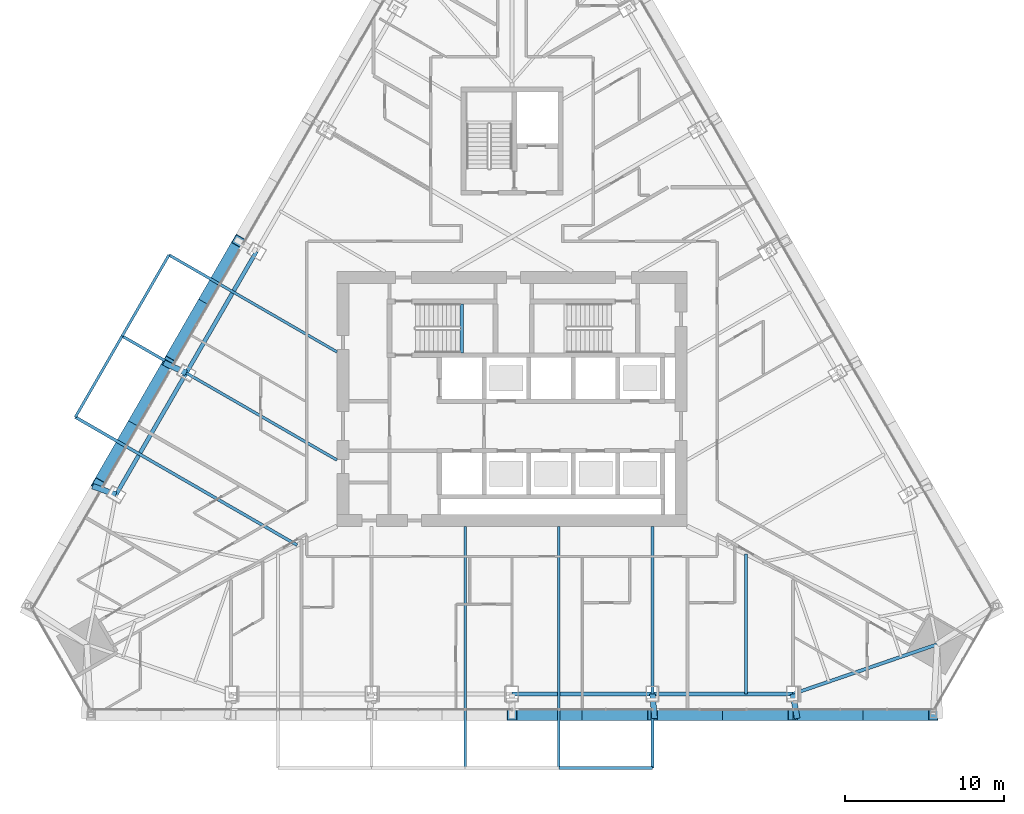
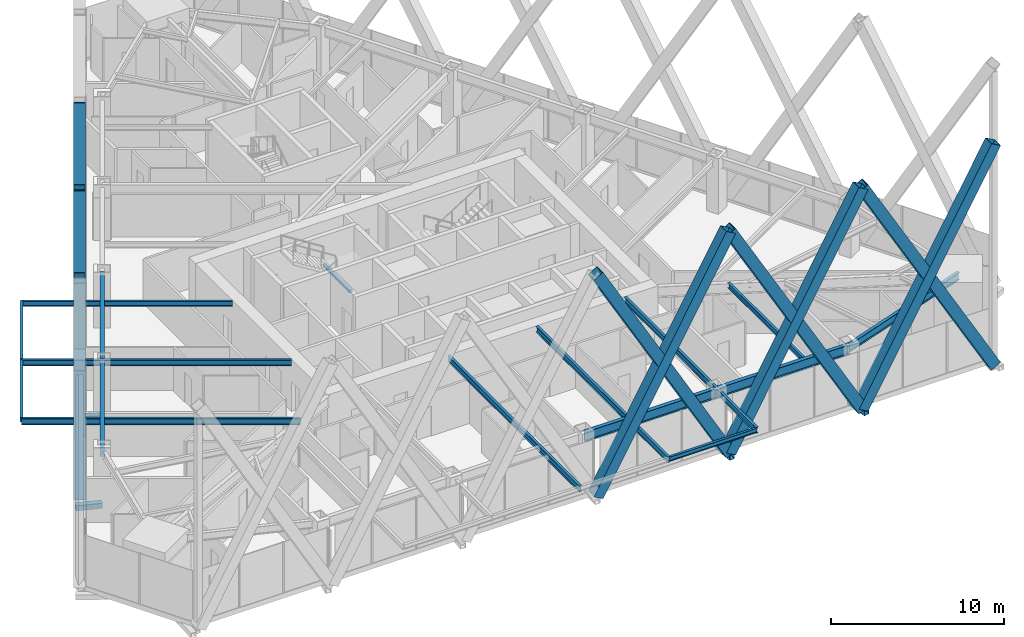
# One storey, part 4 of 19: 14 beams, 14 members.
"""IFC4 building model written with IfcOpenShell, lengths in metres."""

from ifc_helpers import new_model, si_unit, direction, frame, origin, origin_2d, place, context, subcontext, project, spatial, rectangle, hollow_rectangle, i_section, extrude, material, material_profile, profile_set, type_object, element, save


model = new_model("IFC4")

# Units and contexts
model_context = context("Model", 3, precision=1e-05, world=origin(), true_north=direction((0.0, 1.0)))
body_context = subcontext(model_context, "Body", "Model", "MODEL_VIEW")
ifc_project = project(units=[si_unit("LENGTHUNIT", "METRE"), si_unit("AREAUNIT", "SQUARE_METRE"), si_unit("VOLUMEUNIT", "CUBIC_METRE"), si_unit("PLANEANGLEUNIT", "RADIAN"), si_unit("MASSUNIT", "GRAM", prefix="KILO")], contexts=[model_context])

# Site, building, storey
site_placement = place(None, origin())
site = spatial("IfcSite", under=ifc_project, at=site_placement, CompositionType="ELEMENT")
building_placement = place(site_placement, origin())
building = spatial("IfcBuilding", under=site, at=building_placement, Name="Firuza Gate Tower and Library", CompositionType="ELEMENT")
storey_placement = place(building_placement, frame((0.0, 0.0, 187.0)))
storey = spatial("IfcBuildingStorey", under=building, at=storey_placement, Name="L43", CompositionType="ELEMENT", Elevation=187.0)

# Members
ifc_material_1 = material(Name="Steel S355", Category="steel")
ifc_material_profile_1 = material_profile(ifc_material_1, hollow_rectangle(XDim=0.699951171875, YDim=0.699951171875, WallThickness=0.030029296875, at=origin_2d()))
ifc_profile_set_1 = profile_set([ifc_material_profile_1], Name="Steel S355")
member_type_1 = type_object("IfcMemberType", Name="BU700x700x30 Lattice brace", PredefinedType="BRACE", material=ifc_profile_set_1)
for number, where, z_axis, x_axis, name in (
    (1, (75.0, 55.15966796875, 0.0), (0.492333278608, 0.0, 0.870406768572), (0.0, 1.0, 0.0), "Lattice brace S 10.4R"),
    (2, (83.823974609375, 55.15966796875, 0.0), (-0.492333278608, 0.0, 0.870406768572), (0.0, -1.0, 0.0), "Lattice brace S 10.4L"),
):
    element("IfcMember", number, at=place(storey_placement, frame(where, z_axis=z_axis, x_axis=x_axis)), inside=storey, type_object=member_type_1, Name=name, PredefinedType="BRACE", context=body_context, shape_type="SweptSolid", body=[
        extrude(hollow_rectangle(XDim=0.699951171875, YDim=0.699951171875, WallThickness=0.030029296875, at=origin_2d()), origin(), (0.0, 0.0, 1.0), 17.9228515625),
    ])
for number, where, z_axis, x_axis, name in (
    (3, (83.823974609375, 55.15966796875, 0.0), (0.492322958508, 0.0, 0.870412605909), (0.0, 1.0, 0.0), "Lattice brace S 10.5R"),
    (4, (92.647705078125, 55.15966796875, 0.0), (-0.492322958508, 0.0, 0.870412605909), (0.0, -1.0, 0.0), "Lattice brace S 10.5L"),
):
    element("IfcMember", number, at=place(storey_placement, frame(where, z_axis=z_axis, x_axis=x_axis)), inside=storey, type_object=member_type_1, Name=name, PredefinedType="BRACE", context=body_context, shape_type="SweptSolid", body=[
        extrude(hollow_rectangle(XDim=0.699951171875, YDim=0.699951171875, WallThickness=0.030029296875, at=origin_2d()), origin(), (0.0, 0.0, 1.0), 17.922607421875),
    ])
for number, where, z_axis, x_axis, name in (
    (5, (92.647705078125, 55.15966796875, 0.0), (0.492333278608, 0.0, 0.870406768572), (0.0, 1.0, 0.0), "Lattice brace S 10.6R"),
    (6, (101.4716796875, 55.15966796875, 0.0), (-0.492333278608, 0.0, 0.870406768572), (0.0, -1.0, 0.0), "Lattice brace S 10.6L"),
):
    element("IfcMember", number, at=place(storey_placement, frame(where, z_axis=z_axis, x_axis=x_axis)), inside=storey, type_object=member_type_1, Name=name, PredefinedType="BRACE", context=body_context, shape_type="SweptSolid", body=[
        extrude(hollow_rectangle(XDim=0.699951171875, YDim=0.699951171875, WallThickness=0.030029296875, at=origin_2d()), origin(), (0.0, 0.0, 1.0), 17.9228515625),
    ])
for number, where, z_axis, x_axis, name in (
    (7, (57.81787109375, 84.920166015625, 0.0), (-0.246174118604, -0.426363983638, 0.870409131837), (0.866014182773, -0.500019434859, 0.0), "Lattice brace W 10.4R"),
    (8, (53.40576171875, 77.278564453125, 0.0), (0.246174118604, 0.426363983638, 0.870409131837), (-0.866014182773, 0.500019434859, 0.0), "Lattice brace W 10.4L"),
):
    element("IfcMember", number, at=place(storey_placement, frame(where, z_axis=z_axis, x_axis=x_axis)), inside=storey, type_object=member_type_1, Name=name, PredefinedType="BRACE", context=body_context, shape_type="SweptSolid", body=[
        extrude(hollow_rectangle(XDim=0.699951171875, YDim=0.699951171875, WallThickness=0.030029296875, at=origin_2d()), origin(), (0.0, 0.0, 1.0), 17.922607421875),
    ])
for number, where, z_axis, x_axis, name in (
    (9, (53.40576171875, 77.278564453125, 0.0), (-0.246159892502, -0.426376558863, 0.870406995247), (0.866033080533, -0.499986703246, 0.0), "Lattice brace W 10.5R"),
    (10, (48.993896484375, 69.63671875, 0.0), (0.246159892502, 0.426376558863, 0.870406995247), (-0.866033080533, 0.499986703246, 0.0), "Lattice brace W 10.5L"),
):
    element("IfcMember", number, at=place(storey_placement, frame(where, z_axis=z_axis, x_axis=x_axis)), inside=storey, type_object=member_type_1, Name=name, PredefinedType="BRACE", context=body_context, shape_type="SweptSolid", body=[
        extrude(hollow_rectangle(XDim=0.699951171875, YDim=0.699951171875, WallThickness=0.030029296875, at=origin_2d()), origin(), (0.0, 0.0, 1.0), 17.9228515625),
    ])
ifc_material_2 = material(Name="Steel S355", Category="steel")
ifc_material_profile_2 = material_profile(ifc_material_2, hollow_rectangle(XDim=0.355712890625, YDim=0.355712890625, WallThickness=0.014892578125, at=origin_2d()))
ifc_profile_set_2 = profile_set([ifc_material_profile_2], Name="Steel S355")
member_type_2 = type_object("IfcMemberType", Name="HSS356x356x16 Lattice node tie", PredefinedType="BRACE", material=ifc_profile_set_2)
member_1_placement = place(storey_placement, frame((83.823974609375, 56.459716796875, -0.320068359375), z_axis=(0.089267818414, -0.996007658904, 0.0), x_axis=(0.996007658904, 0.089267818414, 0.0)))
element("IfcMember", 11, at=member_1_placement, inside=storey, type_object=member_type_2, Name="Lattice node tie S L43 216", PredefinedType="BRACE", context=body_context, shape_type="SweptSolid", body=[
    extrude(hollow_rectangle(XDim=0.355712890625, YDim=0.355712890625, WallThickness=0.014892578125, at=origin_2d()), origin(), (0.0, 0.0, 1.0), 1.545166015625),
])
for number, where, z_axis, x_axis, name in (
    (12, (92.647705078125, 56.459716796875, -0.320068359375), (0.176590369853, -0.984284431084, 0.0), (0.984284431084, 0.176590369853, 0.0), "Lattice node tie S L43 217"),
    (13, (50.119873046875, 68.98681640625, -0.320068359375), (-0.940755991267, 0.339084303523, 0.0), (-0.339084303523, -0.940755991267, 0.0), "Lattice node tie W L43 222"),
):
    element("IfcMember", number, at=place(storey_placement, frame(where, z_axis=z_axis, x_axis=x_axis)), inside=storey, type_object=member_type_2, Name=name, PredefinedType="BRACE", context=body_context, shape_type="SweptSolid", body=[
        extrude(hollow_rectangle(XDim=0.355712890625, YDim=0.355712890625, WallThickness=0.014892578125, at=origin_2d()), origin(), (0.0, 0.0, 1.0), 1.563720703125),
    ])
member_2_placement = place(storey_placement, frame((54.53173828125, 76.62841796875, -0.320068359375), z_axis=(-0.907213573274, 0.420670337042, 0.0), x_axis=(-0.420670337042, -0.907213573274, 0.0)))
element("IfcMember", 14, at=member_2_placement, inside=storey, type_object=member_type_2, Name="Lattice node tie W L43 223", PredefinedType="BRACE", context=body_context, shape_type="SweptSolid", body=[
    extrude(hollow_rectangle(XDim=0.355712890625, YDim=0.355712890625, WallThickness=0.014892578125, at=origin_2d()), origin(), (0.0, 0.0, 1.0), 1.54541015625),
])

# Beams
ifc_material_3 = material(Name="Concrete C35/45", Category="concrete")
ifc_material_profile_3 = material_profile(ifc_material_3, rectangle(XDim=0.199951171875, YDim=0.199951171875, at=origin_2d()))
ifc_profile_set_3 = profile_set([ifc_material_profile_3], Name="Concrete C35/45")
beam_type_1 = type_object("IfcBeamType", Name="Stair landing bearer 200x200", PredefinedType="BEAM", material=ifc_profile_set_3)
beam_1_placement = place(storey_placement, frame((71.840087890625, 77.89990234375, 1.64990234375), z_axis=(0.0, 1.0, 0.0), x_axis=(-1.0, 0.0, 0.0)))
element("IfcBeam", 15, at=beam_1_placement, inside=storey, type_object=beam_type_1, Name="Landing bearer L43 stair 1", PredefinedType="BEAM", context=body_context, shape_type="SweptSolid", body=[
    extrude(rectangle(XDim=0.199951171875, YDim=0.199951171875, at=origin_2d()), origin(), (0.0, 0.0, 1.0), 3.080078125),
])
ifc_material_4 = material(Name="Steel S355", Category="steel")
ifc_material_profile_4 = material_profile(ifc_material_4, i_section(OverallWidth=0.1650390625, OverallDepth=0.31005859375, WebThickness=0.005859375, FlangeThickness=0.009765625, at=origin_2d()))
ifc_profile_set_4 = profile_set([ifc_material_profile_4], Name="Steel S355")
beam_type_2 = type_object("IfcBeamType", Name="W310x39 Floor beam", PredefinedType="JOIST", material=ifc_profile_set_4)
for number, where, z_axis, x_axis, name in (
    (16, (77.94140625, 51.809814453125, 3.544921875), (1.0, 0.0, 0.0), (0.0, 1.0, 0.0), "Tray edge beam L43 s23-s24"),
    (17, (53.446044921875, 84.0478515625, 3.544921875), (-0.500013444425, -0.866017641503, 0.0), (0.866017641503, -0.500013444425, 0.0), "Tray edge beam L43 s83-s84"),
    (18, (50.504638671875, 78.953369140625, 3.544921875), (-0.49998231768, -0.866035612436, 0.0), (0.866035612436, -0.49998231768, 0.0), "Tray edge beam L43 s84-s85"),
):
    element("IfcBeam", number, at=place(storey_placement, frame(where, z_axis=z_axis, x_axis=x_axis)), inside=storey, type_object=beam_type_2, Name=name, PredefinedType="JOIST", context=body_context, shape_type="SweptSolid", body=[
        extrude(i_section(OverallWidth=0.1650390625, OverallDepth=0.31005859375, WebThickness=0.005859375, FlangeThickness=0.009765625, at=origin_2d()), origin(), (0.0, 0.0, 1.0), 5.882568359375),
    ])
ifc_material_5 = material(Name="Steel S355", Category="steel")
ifc_material_profile_5 = material_profile(ifc_material_5, i_section(OverallWidth=0.1708984375, OverallDepth=0.35498046875, WebThickness=0.007080078125, FlangeThickness=0.01171875, at=origin_2d()))
ifc_profile_set_5 = profile_set([ifc_material_profile_5], Name="Steel S355")
beam_type_3 = type_object("IfcBeamType", Name="W360x51 Floor beam", PredefinedType="JOIST", material=ifc_profile_set_5)
beam_2_placement = place(storey_placement, frame((89.70654296875, 56.459716796875, 3.5224609375), z_axis=(0.0, 1.0, 0.0), x_axis=(-1.0, 0.0, 0.0)))
element("IfcBeam", 19, at=beam_2_placement, inside=storey, type_object=beam_type_3, Name="Floor beam L43 s25", PredefinedType="JOIST", context=body_context, shape_type="SweptSolid", body=[
    extrude(i_section(OverallWidth=0.1708984375, OverallDepth=0.35498046875, WebThickness=0.007080078125, FlangeThickness=0.01171875, at=origin_2d()), origin(), (0.0, 0.0, 1.0), 8.789306640625),
])
beam_3_placement = place(storey_placement, frame((53.446044921875, 84.0478515625, 3.5224609375), z_axis=(0.866027787483, -0.49999587129, 0.0), x_axis=(0.49999587129, 0.866027787483, 0.0)))
element("IfcBeam", 20, at=beam_3_placement, inside=storey, type_object=beam_type_3, Name="Floor beam L43 s83", PredefinedType="JOIST", context=body_context, shape_type="SweptSolid", body=[
    extrude(i_section(OverallWidth=0.1708984375, OverallDepth=0.35498046875, WebThickness=0.007080078125, FlangeThickness=0.01171875, at=origin_2d()), origin(), (0.0, 0.0, 1.0), 12.1865234375),
])
ifc_material_6 = material(Name="Steel S355", Category="steel")
ifc_material_profile_6 = material_profile(ifc_material_6, i_section(OverallWidth=0.177978515625, OverallDepth=0.406982421875, WebThickness=0.0078125, FlangeThickness=0.0126953125, at=origin_2d()))
ifc_profile_set_6 = profile_set([ifc_material_profile_6], Name="Steel S355")
beam_type_4 = type_object("IfcBeamType", Name="W410x60 Floor beam", PredefinedType="JOIST", material=ifc_profile_set_6)
for number, where, z_axis, x_axis, name in (
    (21, (72.05859375, 51.809814453125, 3.49658203125), (0.0, 1.0, 0.0), (-1.0, 0.0, 0.0), "Floor beam L43 s22"),
    (22, (77.94140625, 51.809814453125, 3.49658203125), (0.0, 1.0, 0.0), (-1.0, 0.0, 0.0), "Floor beam L43 s23"),
    (23, (83.823974609375, 51.809814453125, 3.49658203125), (0.0, 1.0, 0.0), (-1.0, 0.0, 0.0), "Floor beam L43 s24"),
):
    element("IfcBeam", number, at=place(storey_placement, frame(where, z_axis=z_axis, x_axis=x_axis)), inside=storey, type_object=beam_type_4, Name=name, PredefinedType="JOIST", context=body_context, shape_type="SweptSolid", body=[
        extrude(i_section(OverallWidth=0.177978515625, OverallDepth=0.406982421875, WebThickness=0.0078125, FlangeThickness=0.0126953125, at=origin_2d()), origin(), (0.0, 0.0, 1.0), 15.190185546875),
    ])
beam_4_placement = place(storey_placement, frame((50.504638671875, 78.953369140625, 3.49658203125), z_axis=(0.866026698377, -0.499997757693, 0.0), x_axis=(0.499997757693, 0.866026698377, 0.0)))
element("IfcBeam", 24, at=beam_4_placement, inside=storey, type_object=beam_type_4, Name="Floor beam L43 s84", PredefinedType="JOIST", context=body_context, shape_type="SweptSolid", body=[
    extrude(i_section(OverallWidth=0.177978515625, OverallDepth=0.406982421875, WebThickness=0.0078125, FlangeThickness=0.0126953125, at=origin_2d()), origin(), (0.0, 0.0, 1.0), 15.5830078125),
])
ifc_material_7 = material(Name="Steel S355", Category="steel")
ifc_material_profile_7 = material_profile(ifc_material_7, i_section(OverallWidth=0.18994140625, OverallDepth=0.45703125, WebThickness=0.009033203125, FlangeThickness=0.014404296875, at=origin_2d()))
ifc_profile_set_7 = profile_set([ifc_material_profile_7], Name="Steel S355")
beam_type_5 = type_object("IfcBeamType", Name="W460x74 Floor beam", PredefinedType="JOIST", material=ifc_profile_set_7)
beam_5_placement = place(storey_placement, frame((47.5634765625, 73.85888671875, 3.471435546875), z_axis=(0.86602559444, -0.499999669774, 0.0), x_axis=(0.499999669774, 0.86602559444, 0.0)))
element("IfcBeam", 25, at=beam_5_placement, inside=storey, type_object=beam_type_5, Name="Floor beam L43 s85", PredefinedType="JOIST", context=body_context, shape_type="SweptSolid", body=[
    extrude(i_section(OverallWidth=0.18994140625, OverallDepth=0.45703125, WebThickness=0.009033203125, FlangeThickness=0.014404296875, at=origin_2d()), origin(), (0.0, 0.0, 1.0), 16.08544921875),
])
ifc_material_8 = material(Name="Steel S355", Category="steel")
ifc_material_profile_8 = material_profile(ifc_material_8, i_section(OverallWidth=0.212890625, OverallDepth=0.5390625, WebThickness=0.01171875, FlangeThickness=0.018798828125, at=origin_2d()))
ifc_profile_set_8 = profile_set([ifc_material_profile_8], Name="Steel S355")
beam_type_6 = type_object("IfcBeamType", Name="W530x109 Edge beam", PredefinedType="SPANDREL", material=ifc_profile_set_8)
beam_6_placement = place(storey_placement, frame((92.647705078125, 56.459716796875, 3.430419921875), z_axis=(0.945635206182, 0.325229237354, 0.0), x_axis=(-0.325229237354, 0.945635206182, 0.0)))
element("IfcBeam", 26, at=beam_6_placement, inside=storey, type_object=beam_type_6, Name="Edge beam L43 e30", PredefinedType="SPANDREL", context=body_context, shape_type="SweptSolid", body=[
    extrude(i_section(OverallWidth=0.212890625, OverallDepth=0.5390625, WebThickness=0.01171875, FlangeThickness=0.018798828125, at=origin_2d()), origin(), (0.0, 0.0, 1.0), 9.586181640625),
])
ifc_material_9 = material(Name="Steel S355", Category="steel")
ifc_material_profile_9 = material_profile(ifc_material_9, i_section(OverallWidth=0.2529296875, OverallDepth=0.677978515625, WebThickness=0.01171875, FlangeThickness=0.016357421875, at=origin_2d()))
ifc_profile_set_9 = profile_set([ifc_material_profile_9], Name="Steel S355")
beam_type_7 = type_object("IfcBeamType", Name="W690x125 Edge beam", PredefinedType="SPANDREL", material=ifc_profile_set_9)
for number, where, z_axis, x_axis, name in (
    (27, (75.0, 56.459716796875, 3.361083984375), (1.0, 0.0, 0.0), (0.0, 1.0, 0.0), "Edge beam L43 e22"),
    (28, (58.943603515625, 84.270263671875, 3.361083984375), (-0.499992693477, -0.866029622166, 0.0), (0.866029622166, -0.499992693477, 0.0), "Edge beam L43 e82"),
):
    element("IfcBeam", number, at=place(storey_placement, frame(where, z_axis=z_axis, x_axis=x_axis)), inside=storey, type_object=beam_type_7, Name=name, PredefinedType="SPANDREL", context=body_context, shape_type="SweptSolid", body=[
        extrude(i_section(OverallWidth=0.2529296875, OverallDepth=0.677978515625, WebThickness=0.01171875, FlangeThickness=0.016357421875, at=origin_2d()), origin(), (0.0, 0.0, 1.0), 17.647705078125),
    ])

save(model, "model.ifc")
